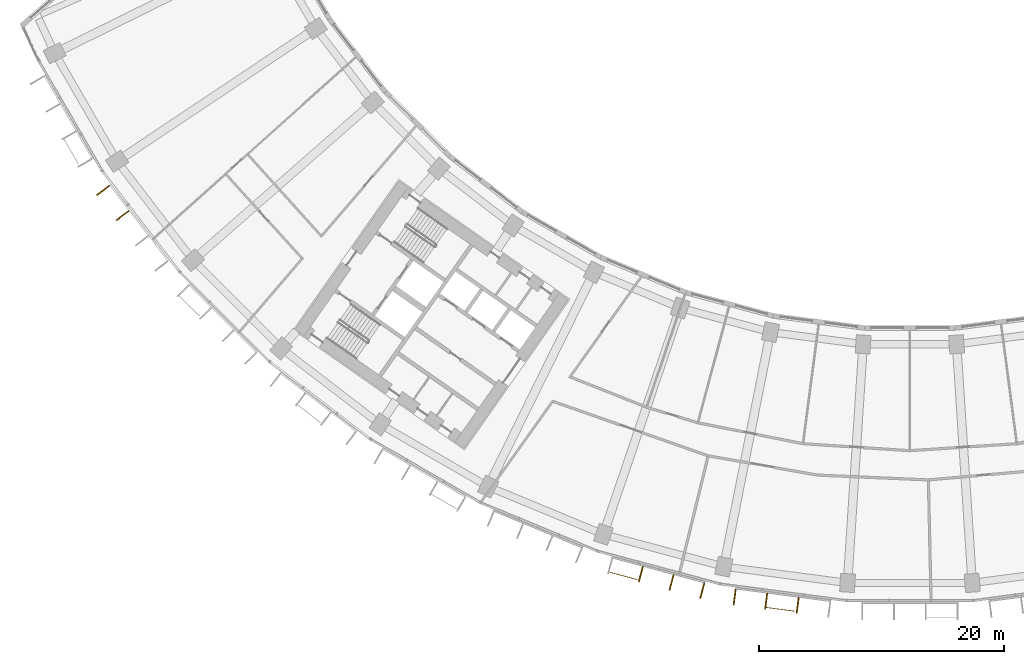
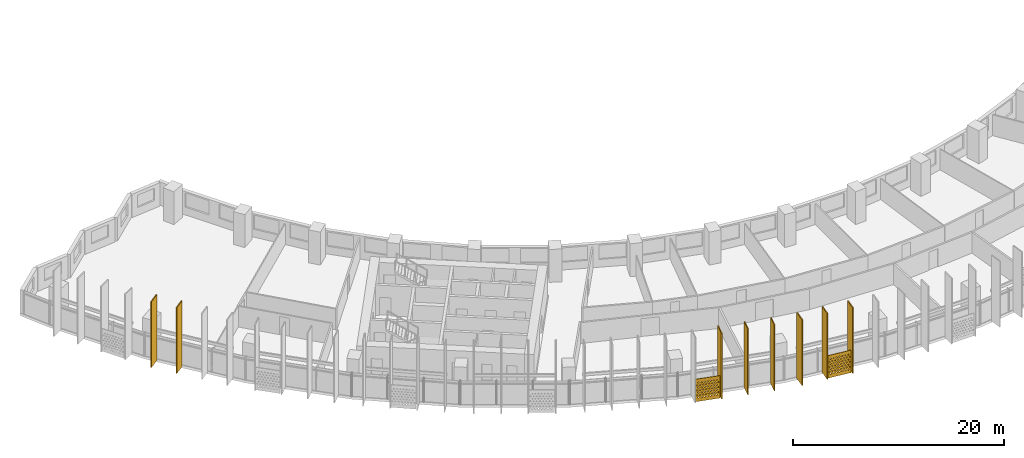
# One storey, part 24 of 29: 10 shading devices.
"""IFC4 building model written with IfcOpenShell, lengths in metres."""

from ifc_helpers import new_model, si_unit, direction, frame, origin, origin_2d, place, context, subcontext, project, spatial, polyline, rectangle, outline, extrude, material, material_profile, profile_set, type_object, element, save


model = new_model("IFC4")

# Units and contexts
model_context = context("Model", 3, precision=1e-05, world=origin(), true_north=direction((0.0, 1.0)))
body_context = subcontext(model_context, "Body", "Model", "MODEL_VIEW")
ifc_project = project(units=[si_unit("LENGTHUNIT", "METRE"), si_unit("AREAUNIT", "SQUARE_METRE"), si_unit("VOLUMEUNIT", "CUBIC_METRE"), si_unit("PLANEANGLEUNIT", "RADIAN"), si_unit("MASSUNIT", "GRAM", prefix="KILO")], contexts=[model_context])

# Site, building, storey
site_placement = place(None, origin())
site = spatial("IfcSite", under=ifc_project, at=site_placement, CompositionType="ELEMENT")
building_placement = place(site_placement, origin())
building = spatial("IfcBuilding", under=site, at=building_placement, Name="Qamariyya Broadcast Tower", CompositionType="ELEMENT")
storey_placement = place(building_placement, frame((0.0, 0.0, 132.89990234375)))
storey = spatial("IfcBuildingStorey", under=building, at=storey_placement, Name="L30", CompositionType="ELEMENT", Elevation=132.89990234375)

# Shading devices
ifc_material_1 = material(Name="Perforated glazed terracotta", Category="masonry")
ifc_material_profile_1 = material_profile(ifc_material_1, outline(polyline([(-1.199951171875, -1.300048828125), (1.199951171875, -1.300048828125), (1.199951171875, 1.300048828125), (-1.199951171875, 1.300048828125), (-1.199951171875, -1.300048828125)]), holes=[polyline([(-0.81494140625, -0.86669921875), (-0.89990234375, -0.78173828125), (-0.985107421875, -0.86669921875), (-0.89990234375, -0.95166015625), (-0.81494140625, -0.86669921875)]), polyline([(-0.514892578125, -0.86669921875), (-0.60009765625, -0.78173828125), (-0.68505859375, -0.86669921875), (-0.60009765625, -0.95166015625), (-0.514892578125, -0.86669921875)]), polyline([(-0.215087890625, -0.86669921875), (-0.300048828125, -0.78173828125), (-0.385009765625, -0.86669921875), (-0.300048828125, -0.95166015625), (-0.215087890625, -0.86669921875)]), polyline([(0.0849609375, -0.86669921875), (0.0, -0.78173828125), (-0.0849609375, -0.86669921875), (0.0, -0.95166015625), (0.0849609375, -0.86669921875)]), polyline([(0.385009765625, -0.86669921875), (0.300048828125, -0.78173828125), (0.215087890625, -0.86669921875), (0.300048828125, -0.95166015625), (0.385009765625, -0.86669921875)]), polyline([(0.68505859375, -0.86669921875), (0.60009765625, -0.78173828125), (0.514892578125, -0.86669921875), (0.60009765625, -0.95166015625), (0.68505859375, -0.86669921875)]), polyline([(0.985107421875, -0.86669921875), (0.89990234375, -0.78173828125), (0.81494140625, -0.86669921875), (0.89990234375, -0.95166015625), (0.985107421875, -0.86669921875)]), polyline([(-0.965087890625, -0.577880859375), (-1.050048828125, -0.49267578125), (-1.135009765625, -0.577880859375), (-1.050048828125, -0.662841796875), (-0.965087890625, -0.577880859375)]), polyline([(-0.6650390625, -0.577880859375), (-0.75, -0.49267578125), (-0.8349609375, -0.577880859375), (-0.75, -0.662841796875), (-0.6650390625, -0.577880859375)]), polyline([(-0.364990234375, -0.577880859375), (-0.449951171875, -0.49267578125), (-0.534912109375, -0.577880859375), (-0.449951171875, -0.662841796875), (-0.364990234375, -0.577880859375)]), polyline([(-0.06494140625, -0.577880859375), (-0.14990234375, -0.49267578125), (-0.235107421875, -0.577880859375), (-0.14990234375, -0.662841796875), (-0.06494140625, -0.577880859375)]), polyline([(0.235107421875, -0.577880859375), (0.14990234375, -0.49267578125), (0.06494140625, -0.577880859375), (0.14990234375, -0.662841796875), (0.235107421875, -0.577880859375)]), polyline([(0.534912109375, -0.577880859375), (0.449951171875, -0.49267578125), (0.364990234375, -0.577880859375), (0.449951171875, -0.662841796875), (0.534912109375, -0.577880859375)]), polyline([(0.8349609375, -0.577880859375), (0.75, -0.49267578125), (0.6650390625, -0.577880859375), (0.75, -0.662841796875), (0.8349609375, -0.577880859375)]), polyline([(1.135009765625, -0.577880859375), (1.050048828125, -0.49267578125), (0.965087890625, -0.577880859375), (1.050048828125, -0.662841796875), (1.135009765625, -0.577880859375)]), polyline([(-0.81494140625, -0.288818359375), (-0.89990234375, -0.203857421875), (-0.985107421875, -0.288818359375), (-0.89990234375, -0.373779296875), (-0.81494140625, -0.288818359375)]), polyline([(-0.514892578125, -0.288818359375), (-0.60009765625, -0.203857421875), (-0.68505859375, -0.288818359375), (-0.60009765625, -0.373779296875), (-0.514892578125, -0.288818359375)]), polyline([(-0.215087890625, -0.288818359375), (-0.300048828125, -0.203857421875), (-0.385009765625, -0.288818359375), (-0.300048828125, -0.373779296875), (-0.215087890625, -0.288818359375)]), polyline([(0.0849609375, -0.288818359375), (0.0, -0.203857421875), (-0.0849609375, -0.288818359375), (0.0, -0.373779296875), (0.0849609375, -0.288818359375)]), polyline([(0.385009765625, -0.288818359375), (0.300048828125, -0.203857421875), (0.215087890625, -0.288818359375), (0.300048828125, -0.373779296875), (0.385009765625, -0.288818359375)]), polyline([(0.68505859375, -0.288818359375), (0.60009765625, -0.203857421875), (0.514892578125, -0.288818359375), (0.60009765625, -0.373779296875), (0.68505859375, -0.288818359375)]), polyline([(0.985107421875, -0.288818359375), (0.89990234375, -0.203857421875), (0.81494140625, -0.288818359375), (0.89990234375, -0.373779296875), (0.985107421875, -0.288818359375)]), polyline([(-0.965087890625, 0.0), (-1.050048828125, 0.0849609375), (-1.135009765625, 0.0), (-1.050048828125, -0.0849609375), (-0.965087890625, 0.0)]), polyline([(-0.6650390625, 0.0), (-0.75, 0.0849609375), (-0.8349609375, 0.0), (-0.75, -0.0849609375), (-0.6650390625, 0.0)]), polyline([(-0.364990234375, 0.0), (-0.449951171875, 0.0849609375), (-0.534912109375, 0.0), (-0.449951171875, -0.0849609375), (-0.364990234375, 0.0)]), polyline([(-0.06494140625, 0.0), (-0.14990234375, 0.0849609375), (-0.235107421875, 0.0), (-0.14990234375, -0.0849609375), (-0.06494140625, 0.0)]), polyline([(0.235107421875, 0.0), (0.14990234375, 0.0849609375), (0.06494140625, 0.0), (0.14990234375, -0.0849609375), (0.235107421875, 0.0)]), polyline([(0.534912109375, 0.0), (0.449951171875, 0.0849609375), (0.364990234375, 0.0), (0.449951171875, -0.0849609375), (0.534912109375, 0.0)]), polyline([(0.8349609375, 0.0), (0.75, 0.0849609375), (0.6650390625, 0.0), (0.75, -0.0849609375), (0.8349609375, 0.0)]), polyline([(1.135009765625, 0.0), (1.050048828125, 0.0849609375), (0.965087890625, 0.0), (1.050048828125, -0.0849609375), (1.135009765625, 0.0)]), polyline([(-0.81494140625, 0.288818359375), (-0.89990234375, 0.373779296875), (-0.985107421875, 0.288818359375), (-0.89990234375, 0.203857421875), (-0.81494140625, 0.288818359375)]), polyline([(-0.514892578125, 0.288818359375), (-0.60009765625, 0.373779296875), (-0.68505859375, 0.288818359375), (-0.60009765625, 0.203857421875), (-0.514892578125, 0.288818359375)]), polyline([(-0.215087890625, 0.288818359375), (-0.300048828125, 0.373779296875), (-0.385009765625, 0.288818359375), (-0.300048828125, 0.203857421875), (-0.215087890625, 0.288818359375)]), polyline([(0.0849609375, 0.288818359375), (0.0, 0.373779296875), (-0.0849609375, 0.288818359375), (0.0, 0.203857421875), (0.0849609375, 0.288818359375)]), polyline([(0.385009765625, 0.288818359375), (0.300048828125, 0.373779296875), (0.215087890625, 0.288818359375), (0.300048828125, 0.203857421875), (0.385009765625, 0.288818359375)]), polyline([(0.68505859375, 0.288818359375), (0.60009765625, 0.373779296875), (0.514892578125, 0.288818359375), (0.60009765625, 0.203857421875), (0.68505859375, 0.288818359375)]), polyline([(0.985107421875, 0.288818359375), (0.89990234375, 0.373779296875), (0.81494140625, 0.288818359375), (0.89990234375, 0.203857421875), (0.985107421875, 0.288818359375)]), polyline([(-0.965087890625, 0.577880859375), (-1.050048828125, 0.662841796875), (-1.135009765625, 0.577880859375), (-1.050048828125, 0.49267578125), (-0.965087890625, 0.577880859375)]), polyline([(-0.6650390625, 0.577880859375), (-0.75, 0.662841796875), (-0.8349609375, 0.577880859375), (-0.75, 0.49267578125), (-0.6650390625, 0.577880859375)]), polyline([(-0.364990234375, 0.577880859375), (-0.449951171875, 0.662841796875), (-0.534912109375, 0.577880859375), (-0.449951171875, 0.49267578125), (-0.364990234375, 0.577880859375)]), polyline([(-0.06494140625, 0.577880859375), (-0.14990234375, 0.662841796875), (-0.235107421875, 0.577880859375), (-0.14990234375, 0.49267578125), (-0.06494140625, 0.577880859375)]), polyline([(0.235107421875, 0.577880859375), (0.14990234375, 0.662841796875), (0.06494140625, 0.577880859375), (0.14990234375, 0.49267578125), (0.235107421875, 0.577880859375)]), polyline([(0.534912109375, 0.577880859375), (0.449951171875, 0.662841796875), (0.364990234375, 0.577880859375), (0.449951171875, 0.49267578125), (0.534912109375, 0.577880859375)]), polyline([(0.8349609375, 0.577880859375), (0.75, 0.662841796875), (0.6650390625, 0.577880859375), (0.75, 0.49267578125), (0.8349609375, 0.577880859375)]), polyline([(1.135009765625, 0.577880859375), (1.050048828125, 0.662841796875), (0.965087890625, 0.577880859375), (1.050048828125, 0.49267578125), (1.135009765625, 0.577880859375)]), polyline([(-0.81494140625, 0.86669921875), (-0.89990234375, 0.95166015625), (-0.985107421875, 0.86669921875), (-0.89990234375, 0.78173828125), (-0.81494140625, 0.86669921875)]), polyline([(-0.514892578125, 0.86669921875), (-0.60009765625, 0.95166015625), (-0.68505859375, 0.86669921875), (-0.60009765625, 0.78173828125), (-0.514892578125, 0.86669921875)]), polyline([(-0.215087890625, 0.86669921875), (-0.300048828125, 0.95166015625), (-0.385009765625, 0.86669921875), (-0.300048828125, 0.78173828125), (-0.215087890625, 0.86669921875)]), polyline([(0.0849609375, 0.86669921875), (0.0, 0.95166015625), (-0.0849609375, 0.86669921875), (0.0, 0.78173828125), (0.0849609375, 0.86669921875)]), polyline([(0.385009765625, 0.86669921875), (0.300048828125, 0.95166015625), (0.215087890625, 0.86669921875), (0.300048828125, 0.78173828125), (0.385009765625, 0.86669921875)]), polyline([(0.68505859375, 0.86669921875), (0.60009765625, 0.95166015625), (0.514892578125, 0.86669921875), (0.60009765625, 0.78173828125), (0.68505859375, 0.86669921875)]), polyline([(0.985107421875, 0.86669921875), (0.89990234375, 0.95166015625), (0.81494140625, 0.86669921875), (0.89990234375, 0.78173828125), (0.985107421875, 0.86669921875)])]))
ifc_profile_set_1 = profile_set([ifc_material_profile_1], Name="Perforated glazed terracotta")
shading_device_type_1 = type_object("IfcShadingDeviceType", Name="Perforated terracotta screen 2400 x 2600", PredefinedType="USERDEFINED", material=ifc_profile_set_1)
shading_device_1_placement = place(storey_placement, frame((-23.35888671875, -76.977294921875, 1.35009765625), z_axis=(-0.259682438219, -0.965694067125, 0.0), x_axis=(0.965694067125, -0.259682438219, 0.0)))
element("IfcShadingDevice", 1, at=shading_device_1_placement, inside=storey, type_object=shading_device_type_1, Name="e-scr-L30-07-0", ObjectType="SCREEN", PredefinedType="USERDEFINED", context=body_context, shape_type="SweptSolid", body=[
    extrude(outline(polyline([(-1.199951171875, -1.300048828125), (1.199951171875, -1.300048828125), (1.199951171875, 1.300048828125), (-1.199951171875, 1.300048828125), (-1.199951171875, -1.300048828125)]), holes=[polyline([(-0.81494140625, -0.86669921875), (-0.89990234375, -0.78173828125), (-0.985107421875, -0.86669921875), (-0.89990234375, -0.95166015625), (-0.81494140625, -0.86669921875)]), polyline([(-0.514892578125, -0.86669921875), (-0.60009765625, -0.78173828125), (-0.68505859375, -0.86669921875), (-0.60009765625, -0.95166015625), (-0.514892578125, -0.86669921875)]), polyline([(-0.215087890625, -0.86669921875), (-0.300048828125, -0.78173828125), (-0.385009765625, -0.86669921875), (-0.300048828125, -0.95166015625), (-0.215087890625, -0.86669921875)]), polyline([(0.0849609375, -0.86669921875), (0.0, -0.78173828125), (-0.0849609375, -0.86669921875), (0.0, -0.95166015625), (0.0849609375, -0.86669921875)]), polyline([(0.385009765625, -0.86669921875), (0.300048828125, -0.78173828125), (0.215087890625, -0.86669921875), (0.300048828125, -0.95166015625), (0.385009765625, -0.86669921875)]), polyline([(0.68505859375, -0.86669921875), (0.60009765625, -0.78173828125), (0.514892578125, -0.86669921875), (0.60009765625, -0.95166015625), (0.68505859375, -0.86669921875)]), polyline([(0.985107421875, -0.86669921875), (0.89990234375, -0.78173828125), (0.81494140625, -0.86669921875), (0.89990234375, -0.95166015625), (0.985107421875, -0.86669921875)]), polyline([(-0.965087890625, -0.577880859375), (-1.050048828125, -0.49267578125), (-1.135009765625, -0.577880859375), (-1.050048828125, -0.662841796875), (-0.965087890625, -0.577880859375)]), polyline([(-0.6650390625, -0.577880859375), (-0.75, -0.49267578125), (-0.8349609375, -0.577880859375), (-0.75, -0.662841796875), (-0.6650390625, -0.577880859375)]), polyline([(-0.364990234375, -0.577880859375), (-0.449951171875, -0.49267578125), (-0.534912109375, -0.577880859375), (-0.449951171875, -0.662841796875), (-0.364990234375, -0.577880859375)]), polyline([(-0.06494140625, -0.577880859375), (-0.14990234375, -0.49267578125), (-0.235107421875, -0.577880859375), (-0.14990234375, -0.662841796875), (-0.06494140625, -0.577880859375)]), polyline([(0.235107421875, -0.577880859375), (0.14990234375, -0.49267578125), (0.06494140625, -0.577880859375), (0.14990234375, -0.662841796875), (0.235107421875, -0.577880859375)]), polyline([(0.534912109375, -0.577880859375), (0.449951171875, -0.49267578125), (0.364990234375, -0.577880859375), (0.449951171875, -0.662841796875), (0.534912109375, -0.577880859375)]), polyline([(0.8349609375, -0.577880859375), (0.75, -0.49267578125), (0.6650390625, -0.577880859375), (0.75, -0.662841796875), (0.8349609375, -0.577880859375)]), polyline([(1.135009765625, -0.577880859375), (1.050048828125, -0.49267578125), (0.965087890625, -0.577880859375), (1.050048828125, -0.662841796875), (1.135009765625, -0.577880859375)]), polyline([(-0.81494140625, -0.288818359375), (-0.89990234375, -0.203857421875), (-0.985107421875, -0.288818359375), (-0.89990234375, -0.373779296875), (-0.81494140625, -0.288818359375)]), polyline([(-0.514892578125, -0.288818359375), (-0.60009765625, -0.203857421875), (-0.68505859375, -0.288818359375), (-0.60009765625, -0.373779296875), (-0.514892578125, -0.288818359375)]), polyline([(-0.215087890625, -0.288818359375), (-0.300048828125, -0.203857421875), (-0.385009765625, -0.288818359375), (-0.300048828125, -0.373779296875), (-0.215087890625, -0.288818359375)]), polyline([(0.0849609375, -0.288818359375), (0.0, -0.203857421875), (-0.0849609375, -0.288818359375), (0.0, -0.373779296875), (0.0849609375, -0.288818359375)]), polyline([(0.385009765625, -0.288818359375), (0.300048828125, -0.203857421875), (0.215087890625, -0.288818359375), (0.300048828125, -0.373779296875), (0.385009765625, -0.288818359375)]), polyline([(0.68505859375, -0.288818359375), (0.60009765625, -0.203857421875), (0.514892578125, -0.288818359375), (0.60009765625, -0.373779296875), (0.68505859375, -0.288818359375)]), polyline([(0.985107421875, -0.288818359375), (0.89990234375, -0.203857421875), (0.81494140625, -0.288818359375), (0.89990234375, -0.373779296875), (0.985107421875, -0.288818359375)]), polyline([(-0.965087890625, 0.0), (-1.050048828125, 0.0849609375), (-1.135009765625, 0.0), (-1.050048828125, -0.0849609375), (-0.965087890625, 0.0)]), polyline([(-0.6650390625, 0.0), (-0.75, 0.0849609375), (-0.8349609375, 0.0), (-0.75, -0.0849609375), (-0.6650390625, 0.0)]), polyline([(-0.364990234375, 0.0), (-0.449951171875, 0.0849609375), (-0.534912109375, 0.0), (-0.449951171875, -0.0849609375), (-0.364990234375, 0.0)]), polyline([(-0.06494140625, 0.0), (-0.14990234375, 0.0849609375), (-0.235107421875, 0.0), (-0.14990234375, -0.0849609375), (-0.06494140625, 0.0)]), polyline([(0.235107421875, 0.0), (0.14990234375, 0.0849609375), (0.06494140625, 0.0), (0.14990234375, -0.0849609375), (0.235107421875, 0.0)]), polyline([(0.534912109375, 0.0), (0.449951171875, 0.0849609375), (0.364990234375, 0.0), (0.449951171875, -0.0849609375), (0.534912109375, 0.0)]), polyline([(0.8349609375, 0.0), (0.75, 0.0849609375), (0.6650390625, 0.0), (0.75, -0.0849609375), (0.8349609375, 0.0)]), polyline([(1.135009765625, 0.0), (1.050048828125, 0.0849609375), (0.965087890625, 0.0), (1.050048828125, -0.0849609375), (1.135009765625, 0.0)]), polyline([(-0.81494140625, 0.288818359375), (-0.89990234375, 0.373779296875), (-0.985107421875, 0.288818359375), (-0.89990234375, 0.203857421875), (-0.81494140625, 0.288818359375)]), polyline([(-0.514892578125, 0.288818359375), (-0.60009765625, 0.373779296875), (-0.68505859375, 0.288818359375), (-0.60009765625, 0.203857421875), (-0.514892578125, 0.288818359375)]), polyline([(-0.215087890625, 0.288818359375), (-0.300048828125, 0.373779296875), (-0.385009765625, 0.288818359375), (-0.300048828125, 0.203857421875), (-0.215087890625, 0.288818359375)]), polyline([(0.0849609375, 0.288818359375), (0.0, 0.373779296875), (-0.0849609375, 0.288818359375), (0.0, 0.203857421875), (0.0849609375, 0.288818359375)]), polyline([(0.385009765625, 0.288818359375), (0.300048828125, 0.373779296875), (0.215087890625, 0.288818359375), (0.300048828125, 0.203857421875), (0.385009765625, 0.288818359375)]), polyline([(0.68505859375, 0.288818359375), (0.60009765625, 0.373779296875), (0.514892578125, 0.288818359375), (0.60009765625, 0.203857421875), (0.68505859375, 0.288818359375)]), polyline([(0.985107421875, 0.288818359375), (0.89990234375, 0.373779296875), (0.81494140625, 0.288818359375), (0.89990234375, 0.203857421875), (0.985107421875, 0.288818359375)]), polyline([(-0.965087890625, 0.577880859375), (-1.050048828125, 0.662841796875), (-1.135009765625, 0.577880859375), (-1.050048828125, 0.49267578125), (-0.965087890625, 0.577880859375)]), polyline([(-0.6650390625, 0.577880859375), (-0.75, 0.662841796875), (-0.8349609375, 0.577880859375), (-0.75, 0.49267578125), (-0.6650390625, 0.577880859375)]), polyline([(-0.364990234375, 0.577880859375), (-0.449951171875, 0.662841796875), (-0.534912109375, 0.577880859375), (-0.449951171875, 0.49267578125), (-0.364990234375, 0.577880859375)]), polyline([(-0.06494140625, 0.577880859375), (-0.14990234375, 0.662841796875), (-0.235107421875, 0.577880859375), (-0.14990234375, 0.49267578125), (-0.06494140625, 0.577880859375)]), polyline([(0.235107421875, 0.577880859375), (0.14990234375, 0.662841796875), (0.06494140625, 0.577880859375), (0.14990234375, 0.49267578125), (0.235107421875, 0.577880859375)]), polyline([(0.534912109375, 0.577880859375), (0.449951171875, 0.662841796875), (0.364990234375, 0.577880859375), (0.449951171875, 0.49267578125), (0.534912109375, 0.577880859375)]), polyline([(0.8349609375, 0.577880859375), (0.75, 0.662841796875), (0.6650390625, 0.577880859375), (0.75, 0.49267578125), (0.8349609375, 0.577880859375)]), polyline([(1.135009765625, 0.577880859375), (1.050048828125, 0.662841796875), (0.965087890625, 0.577880859375), (1.050048828125, 0.49267578125), (1.135009765625, 0.577880859375)]), polyline([(-0.81494140625, 0.86669921875), (-0.89990234375, 0.95166015625), (-0.985107421875, 0.86669921875), (-0.89990234375, 0.78173828125), (-0.81494140625, 0.86669921875)]), polyline([(-0.514892578125, 0.86669921875), (-0.60009765625, 0.95166015625), (-0.68505859375, 0.86669921875), (-0.60009765625, 0.78173828125), (-0.514892578125, 0.86669921875)]), polyline([(-0.215087890625, 0.86669921875), (-0.300048828125, 0.95166015625), (-0.385009765625, 0.86669921875), (-0.300048828125, 0.78173828125), (-0.215087890625, 0.86669921875)]), polyline([(0.0849609375, 0.86669921875), (0.0, 0.95166015625), (-0.0849609375, 0.86669921875), (0.0, 0.78173828125), (0.0849609375, 0.86669921875)]), polyline([(0.385009765625, 0.86669921875), (0.300048828125, 0.95166015625), (0.215087890625, 0.86669921875), (0.300048828125, 0.78173828125), (0.385009765625, 0.86669921875)]), polyline([(0.68505859375, 0.86669921875), (0.60009765625, 0.95166015625), (0.514892578125, 0.86669921875), (0.60009765625, 0.78173828125), (0.68505859375, 0.86669921875)]), polyline([(0.985107421875, 0.86669921875), (0.89990234375, 0.95166015625), (0.81494140625, 0.86669921875), (0.89990234375, 0.78173828125), (0.985107421875, 0.86669921875)])]), origin(), (0.0, 0.0, 1.0), 0.06005859375),
])
shading_device_2_placement = place(storey_placement, frame((-10.54052734375, -79.706298828125, 1.35009765625), z_axis=(-0.1300340368, -0.991509530601, 0.0), x_axis=(0.991509530601, -0.1300340368, 0.0)))
element("IfcShadingDevice", 2, at=shading_device_2_placement, inside=storey, type_object=shading_device_type_1, Name="e-scr-L30-08-1", ObjectType="SCREEN", PredefinedType="USERDEFINED", context=body_context, shape_type="SweptSolid", body=[
    extrude(outline(polyline([(-1.199951171875, -1.300048828125), (1.199951171875, -1.300048828125), (1.199951171875, 1.300048828125), (-1.199951171875, 1.300048828125), (-1.199951171875, -1.300048828125)]), holes=[polyline([(-0.81494140625, -0.86669921875), (-0.89990234375, -0.78173828125), (-0.985107421875, -0.86669921875), (-0.89990234375, -0.95166015625), (-0.81494140625, -0.86669921875)]), polyline([(-0.514892578125, -0.86669921875), (-0.60009765625, -0.78173828125), (-0.68505859375, -0.86669921875), (-0.60009765625, -0.95166015625), (-0.514892578125, -0.86669921875)]), polyline([(-0.215087890625, -0.86669921875), (-0.300048828125, -0.78173828125), (-0.385009765625, -0.86669921875), (-0.300048828125, -0.95166015625), (-0.215087890625, -0.86669921875)]), polyline([(0.0849609375, -0.86669921875), (0.0, -0.78173828125), (-0.0849609375, -0.86669921875), (0.0, -0.95166015625), (0.0849609375, -0.86669921875)]), polyline([(0.385009765625, -0.86669921875), (0.300048828125, -0.78173828125), (0.215087890625, -0.86669921875), (0.300048828125, -0.95166015625), (0.385009765625, -0.86669921875)]), polyline([(0.68505859375, -0.86669921875), (0.60009765625, -0.78173828125), (0.514892578125, -0.86669921875), (0.60009765625, -0.95166015625), (0.68505859375, -0.86669921875)]), polyline([(0.985107421875, -0.86669921875), (0.89990234375, -0.78173828125), (0.81494140625, -0.86669921875), (0.89990234375, -0.95166015625), (0.985107421875, -0.86669921875)]), polyline([(-0.965087890625, -0.577880859375), (-1.050048828125, -0.49267578125), (-1.135009765625, -0.577880859375), (-1.050048828125, -0.662841796875), (-0.965087890625, -0.577880859375)]), polyline([(-0.6650390625, -0.577880859375), (-0.75, -0.49267578125), (-0.8349609375, -0.577880859375), (-0.75, -0.662841796875), (-0.6650390625, -0.577880859375)]), polyline([(-0.364990234375, -0.577880859375), (-0.449951171875, -0.49267578125), (-0.534912109375, -0.577880859375), (-0.449951171875, -0.662841796875), (-0.364990234375, -0.577880859375)]), polyline([(-0.06494140625, -0.577880859375), (-0.14990234375, -0.49267578125), (-0.235107421875, -0.577880859375), (-0.14990234375, -0.662841796875), (-0.06494140625, -0.577880859375)]), polyline([(0.235107421875, -0.577880859375), (0.14990234375, -0.49267578125), (0.06494140625, -0.577880859375), (0.14990234375, -0.662841796875), (0.235107421875, -0.577880859375)]), polyline([(0.534912109375, -0.577880859375), (0.449951171875, -0.49267578125), (0.364990234375, -0.577880859375), (0.449951171875, -0.662841796875), (0.534912109375, -0.577880859375)]), polyline([(0.8349609375, -0.577880859375), (0.75, -0.49267578125), (0.6650390625, -0.577880859375), (0.75, -0.662841796875), (0.8349609375, -0.577880859375)]), polyline([(1.135009765625, -0.577880859375), (1.050048828125, -0.49267578125), (0.965087890625, -0.577880859375), (1.050048828125, -0.662841796875), (1.135009765625, -0.577880859375)]), polyline([(-0.81494140625, -0.288818359375), (-0.89990234375, -0.203857421875), (-0.985107421875, -0.288818359375), (-0.89990234375, -0.373779296875), (-0.81494140625, -0.288818359375)]), polyline([(-0.514892578125, -0.288818359375), (-0.60009765625, -0.203857421875), (-0.68505859375, -0.288818359375), (-0.60009765625, -0.373779296875), (-0.514892578125, -0.288818359375)]), polyline([(-0.215087890625, -0.288818359375), (-0.300048828125, -0.203857421875), (-0.385009765625, -0.288818359375), (-0.300048828125, -0.373779296875), (-0.215087890625, -0.288818359375)]), polyline([(0.0849609375, -0.288818359375), (0.0, -0.203857421875), (-0.0849609375, -0.288818359375), (0.0, -0.373779296875), (0.0849609375, -0.288818359375)]), polyline([(0.385009765625, -0.288818359375), (0.300048828125, -0.203857421875), (0.215087890625, -0.288818359375), (0.300048828125, -0.373779296875), (0.385009765625, -0.288818359375)]), polyline([(0.68505859375, -0.288818359375), (0.60009765625, -0.203857421875), (0.514892578125, -0.288818359375), (0.60009765625, -0.373779296875), (0.68505859375, -0.288818359375)]), polyline([(0.985107421875, -0.288818359375), (0.89990234375, -0.203857421875), (0.81494140625, -0.288818359375), (0.89990234375, -0.373779296875), (0.985107421875, -0.288818359375)]), polyline([(-0.965087890625, 0.0), (-1.050048828125, 0.0849609375), (-1.135009765625, 0.0), (-1.050048828125, -0.0849609375), (-0.965087890625, 0.0)]), polyline([(-0.6650390625, 0.0), (-0.75, 0.0849609375), (-0.8349609375, 0.0), (-0.75, -0.0849609375), (-0.6650390625, 0.0)]), polyline([(-0.364990234375, 0.0), (-0.449951171875, 0.0849609375), (-0.534912109375, 0.0), (-0.449951171875, -0.0849609375), (-0.364990234375, 0.0)]), polyline([(-0.06494140625, 0.0), (-0.14990234375, 0.0849609375), (-0.235107421875, 0.0), (-0.14990234375, -0.0849609375), (-0.06494140625, 0.0)]), polyline([(0.235107421875, 0.0), (0.14990234375, 0.0849609375), (0.06494140625, 0.0), (0.14990234375, -0.0849609375), (0.235107421875, 0.0)]), polyline([(0.534912109375, 0.0), (0.449951171875, 0.0849609375), (0.364990234375, 0.0), (0.449951171875, -0.0849609375), (0.534912109375, 0.0)]), polyline([(0.8349609375, 0.0), (0.75, 0.0849609375), (0.6650390625, 0.0), (0.75, -0.0849609375), (0.8349609375, 0.0)]), polyline([(1.135009765625, 0.0), (1.050048828125, 0.0849609375), (0.965087890625, 0.0), (1.050048828125, -0.0849609375), (1.135009765625, 0.0)]), polyline([(-0.81494140625, 0.288818359375), (-0.89990234375, 0.373779296875), (-0.985107421875, 0.288818359375), (-0.89990234375, 0.203857421875), (-0.81494140625, 0.288818359375)]), polyline([(-0.514892578125, 0.288818359375), (-0.60009765625, 0.373779296875), (-0.68505859375, 0.288818359375), (-0.60009765625, 0.203857421875), (-0.514892578125, 0.288818359375)]), polyline([(-0.215087890625, 0.288818359375), (-0.300048828125, 0.373779296875), (-0.385009765625, 0.288818359375), (-0.300048828125, 0.203857421875), (-0.215087890625, 0.288818359375)]), polyline([(0.0849609375, 0.288818359375), (0.0, 0.373779296875), (-0.0849609375, 0.288818359375), (0.0, 0.203857421875), (0.0849609375, 0.288818359375)]), polyline([(0.385009765625, 0.288818359375), (0.300048828125, 0.373779296875), (0.215087890625, 0.288818359375), (0.300048828125, 0.203857421875), (0.385009765625, 0.288818359375)]), polyline([(0.68505859375, 0.288818359375), (0.60009765625, 0.373779296875), (0.514892578125, 0.288818359375), (0.60009765625, 0.203857421875), (0.68505859375, 0.288818359375)]), polyline([(0.985107421875, 0.288818359375), (0.89990234375, 0.373779296875), (0.81494140625, 0.288818359375), (0.89990234375, 0.203857421875), (0.985107421875, 0.288818359375)]), polyline([(-0.965087890625, 0.577880859375), (-1.050048828125, 0.662841796875), (-1.135009765625, 0.577880859375), (-1.050048828125, 0.49267578125), (-0.965087890625, 0.577880859375)]), polyline([(-0.6650390625, 0.577880859375), (-0.75, 0.662841796875), (-0.8349609375, 0.577880859375), (-0.75, 0.49267578125), (-0.6650390625, 0.577880859375)]), polyline([(-0.364990234375, 0.577880859375), (-0.449951171875, 0.662841796875), (-0.534912109375, 0.577880859375), (-0.449951171875, 0.49267578125), (-0.364990234375, 0.577880859375)]), polyline([(-0.06494140625, 0.577880859375), (-0.14990234375, 0.662841796875), (-0.235107421875, 0.577880859375), (-0.14990234375, 0.49267578125), (-0.06494140625, 0.577880859375)]), polyline([(0.235107421875, 0.577880859375), (0.14990234375, 0.662841796875), (0.06494140625, 0.577880859375), (0.14990234375, 0.49267578125), (0.235107421875, 0.577880859375)]), polyline([(0.534912109375, 0.577880859375), (0.449951171875, 0.662841796875), (0.364990234375, 0.577880859375), (0.449951171875, 0.49267578125), (0.534912109375, 0.577880859375)]), polyline([(0.8349609375, 0.577880859375), (0.75, 0.662841796875), (0.6650390625, 0.577880859375), (0.75, 0.49267578125), (0.8349609375, 0.577880859375)]), polyline([(1.135009765625, 0.577880859375), (1.050048828125, 0.662841796875), (0.965087890625, 0.577880859375), (1.050048828125, 0.49267578125), (1.135009765625, 0.577880859375)]), polyline([(-0.81494140625, 0.86669921875), (-0.89990234375, 0.95166015625), (-0.985107421875, 0.86669921875), (-0.89990234375, 0.78173828125), (-0.81494140625, 0.86669921875)]), polyline([(-0.514892578125, 0.86669921875), (-0.60009765625, 0.95166015625), (-0.68505859375, 0.86669921875), (-0.60009765625, 0.78173828125), (-0.514892578125, 0.86669921875)]), polyline([(-0.215087890625, 0.86669921875), (-0.300048828125, 0.95166015625), (-0.385009765625, 0.86669921875), (-0.300048828125, 0.78173828125), (-0.215087890625, 0.86669921875)]), polyline([(0.0849609375, 0.86669921875), (0.0, 0.95166015625), (-0.0849609375, 0.86669921875), (0.0, 0.78173828125), (0.0849609375, 0.86669921875)]), polyline([(0.385009765625, 0.86669921875), (0.300048828125, 0.95166015625), (0.215087890625, 0.86669921875), (0.300048828125, 0.78173828125), (0.385009765625, 0.86669921875)]), polyline([(0.68505859375, 0.86669921875), (0.60009765625, 0.95166015625), (0.514892578125, 0.86669921875), (0.60009765625, 0.78173828125), (0.68505859375, 0.86669921875)]), polyline([(0.985107421875, 0.86669921875), (0.89990234375, 0.95166015625), (0.81494140625, 0.86669921875), (0.89990234375, 0.78173828125), (0.985107421875, 0.86669921875)])]), origin(), (0.0, 0.0, 1.0), 0.06005859375),
])
ifc_material_2 = material(Name="Glazed terracotta", Category="masonry")
ifc_material_profile_2 = material_profile(ifc_material_2, rectangle(XDim=1.300048828125, YDim=0.10009765625, at=origin_2d()))
ifc_profile_set_2 = profile_set([ifc_material_profile_2], Name="Glazed terracotta")
shading_device_type_2 = type_object("IfcShadingDeviceType", Name="Terracotta fin 100 x 1300", PredefinedType="USERDEFINED", material=ifc_profile_set_2)
for number, where, z_axis, x_axis, name in (
    (3, (-65.781005859375, -45.572509765625, 0.0), (0.0, 0.0, 1.0), (-0.793353340291, -0.608761429009, 0.0), "e-fin-L30-02-0"),
    (4, (-64.2021484375, -47.629638671875, 0.0), (0.0, 0.0, 1.0), (-0.793353340291, -0.608761429009, 0.0), "e-fin-L30-02-1"),
    (5, (-21.93994140625, -76.87109375, 0.0), (0.0, 0.0, 1.0), (-0.258819045103, -0.965925826289, 0.0), "e-fin-L30-07-1"),
    (6, (-19.43505859375, -77.542236328125, 0.0), (0.0, 0.0, 1.0), (-0.258819045103, -0.965925826289, 0.0), "e-fin-L30-07-2"),
    (7, (-16.93017578125, -78.21337890625, 0.0), (0.0, 0.0, 1.0), (-0.258819045103, -0.965925826289, 0.0), "e-fin-L30-07-3"),
    (8, (-14.28955078125, -78.73876953125, 0.0), (0.0, 0.0, 1.0), (-0.13052619222, -0.991444861374, 0.0), "e-fin-L30-08-0"),
    (9, (-11.718505859375, -79.0771484375, 0.0), (0.0, 0.0, 1.0), (-0.13052619222, -0.991444861374, 0.0), "e-fin-L30-08-1"),
    (10, (-9.1474609375, -79.41552734375, 0.0), (0.0, 0.0, 1.0), (-0.13052619222, -0.991444861374, 0.0), "e-fin-L30-08-2"),
):
    element("IfcShadingDevice", number, at=place(storey_placement, frame(where, z_axis=z_axis, x_axis=x_axis)), inside=storey, type_object=shading_device_type_2, Name=name, ObjectType="FIN", PredefinedType="USERDEFINED", context=body_context, shape_type="SweptSolid", body=[
        extrude(rectangle(XDim=1.300048828125, YDim=0.10009765625, at=origin_2d()), origin(), (0.0, 0.0, 1.0), 7.60009765625),
    ])

save(model, "model.ifc")
